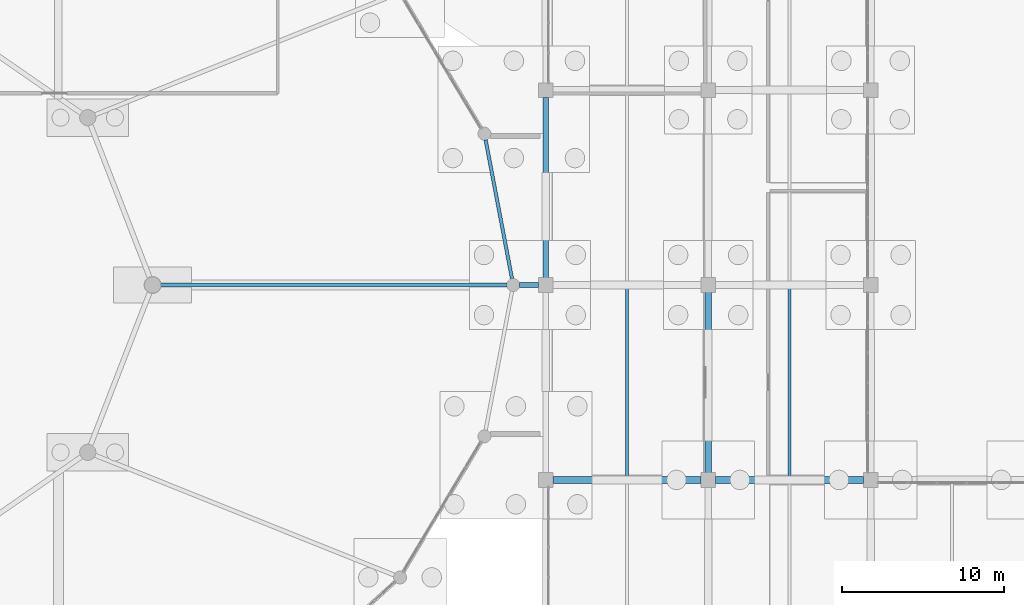
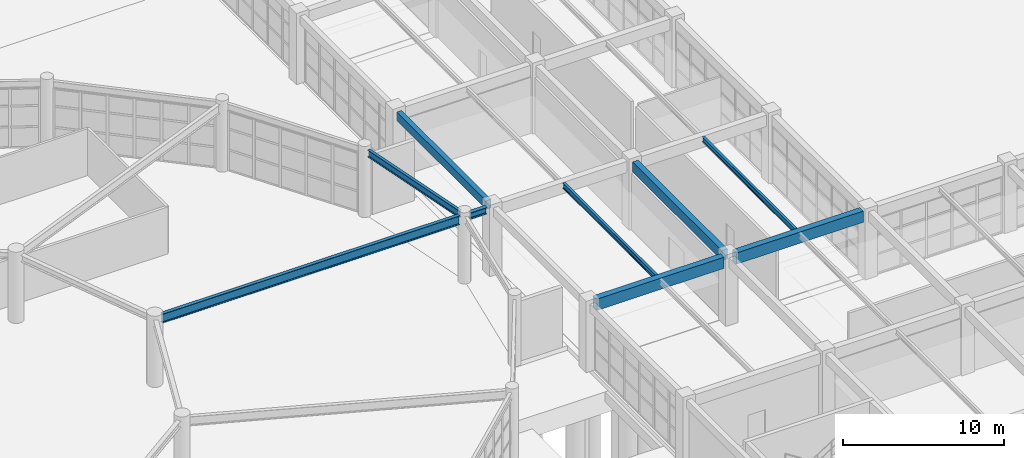
# One storey, part 44 of 99: 9 beams.
"""IFC4 building model written with IfcOpenShell, lengths in metres."""

from ifc_helpers import new_model, si_unit, direction, frame, origin, origin_2d, place, context, subcontext, project, spatial, rectangle, i_section, extrude, material, material_profile, profile_set, type_object, element, save


model = new_model("IFC4")

# Units and contexts
model_context = context("Model", 3, precision=1e-05, world=origin(), true_north=direction((0.0, 1.0)))
body_context = subcontext(model_context, "Body", "Model", "MODEL_VIEW")
ifc_project = project(units=[si_unit("LENGTHUNIT", "METRE"), si_unit("AREAUNIT", "SQUARE_METRE"), si_unit("VOLUMEUNIT", "CUBIC_METRE"), si_unit("PLANEANGLEUNIT", "RADIAN"), si_unit("MASSUNIT", "GRAM", prefix="KILO")], contexts=[model_context])

# Site, building, storey
site_placement = place(None, origin())
site = spatial("IfcSite", under=ifc_project, at=site_placement, CompositionType="ELEMENT")
building_placement = place(site_placement, origin())
building = spatial("IfcBuilding", under=site, at=building_placement, Name="Kivolera Central Railway Station", CompositionType="ELEMENT")
storey_placement = place(building_placement, origin())
storey = spatial("IfcBuildingStorey", under=building, at=storey_placement, Name="L00", CompositionType="ELEMENT", Elevation=0.0)

# Beams
ifc_material_1 = material(Name="Steel S355", Category="steel")
ifc_material_profile_1 = material_profile(ifc_material_1, i_section(OverallWidth=0.179931640625, OverallDepth=0.39990234375, WebThickness=0.008544921875, FlangeThickness=0.013427734375, FilletRadius=0.02099609375, at=origin_2d()), Name="IPE 400")
ifc_profile_set_1 = profile_set([ifc_material_profile_1], Name="Steel S355")
beam_type_1 = type_object("IfcBeamType", Name="BM-JST-IPE400", PredefinedType="JOIST", material=ifc_profile_set_1)
for number, where, z_axis, x_axis, name in (
    (1, (123.0, 78.217041015625, 4.907958984375), (0.0, 1.0, 0.0), (-1.0, 0.0, 0.0), "L00 Floor Joist 12-13/G-H"),
    (2, (133.0, 78.217041015625, 4.907958984375), (0.0, 1.0, 0.0), (-1.0, 0.0, 0.0), "L00 Floor Joist 13-14/G-H"),
):
    element("IfcBeam", number, at=place(storey_placement, frame(where, z_axis=z_axis, x_axis=x_axis)), inside=storey, type_object=beam_type_1, Name=name, PredefinedType="JOIST", context=body_context, shape_type="SweptSolid", body=[
        extrude(i_section(OverallWidth=0.179931640625, OverallDepth=0.39990234375, WebThickness=0.008544921875, FlangeThickness=0.013427734375, FilletRadius=0.02099609375, at=origin_2d()), origin(), (0.0, 0.0, 1.0), 11.56591796875),
    ])
ifc_material_2 = material(Name="Concrete C40/50", Category="concrete")
ifc_material_profile_2 = material_profile(ifc_material_2, rectangle(XDim=0.39990234375, YDim=0.75, at=origin_2d()), Name="RC 400x750")
ifc_profile_set_2 = profile_set([ifc_material_profile_2], Name="Concrete C40/50")
beam_type_2 = type_object("IfcBeamType", Name="BM-RC-400x750", PredefinedType="BEAM", material=ifc_profile_set_2)
beam_1_placement = place(storey_placement, frame((128.0, 78.44189453125, 4.7451171875), z_axis=(0.0, 1.0, 0.0), x_axis=(-1.0, 0.0, 0.0)))
element("IfcBeam", 3, at=beam_1_placement, inside=storey, type_object=beam_type_2, Name="L00 Wing Y-Beam 13:G-H", PredefinedType="BEAM", context=body_context, shape_type="SweptSolid", body=[
    extrude(rectangle(XDim=0.39990234375, YDim=0.75, at=origin_2d()), origin(), (0.0, 0.0, 1.0), 11.1162109375),
])
ifc_material_profile_3 = material_profile(ifc_material_2, rectangle(XDim=0.449951171875, YDim=0.85009765625, at=origin_2d()), Name="RC 450x850")
ifc_profile_set_3 = profile_set([ifc_material_profile_3], Name="Concrete C40/50")
beam_type_3 = type_object("IfcBeamType", Name="BM-RC-450x850", PredefinedType="BEAM", material=ifc_profile_set_3)
for number, where, z_axis, x_axis, name in (
    (4, (118.44189453125, 78.0, 4.695068359375), (1.0, 0.0, 0.0), (0.0, 1.0, 0.0), "L00 Wing X-Beam G:12-13"),
    (5, (128.44189453125, 78.0, 4.695068359375), (1.0, 0.0, 0.0), (0.0, 1.0, 0.0), "L00 Wing X-Beam G:13-14"),
):
    element("IfcBeam", number, at=place(storey_placement, frame(where, z_axis=z_axis, x_axis=x_axis)), inside=storey, type_object=beam_type_3, Name=name, PredefinedType="BEAM", context=body_context, shape_type="SweptSolid", body=[
        extrude(rectangle(XDim=0.449951171875, YDim=0.85009765625, at=origin_2d()), origin(), (0.0, 0.0, 1.0), 9.1162109375),
    ])
ifc_material_profile_4 = material_profile(ifc_material_1, i_section(OverallWidth=0.300048828125, OverallDepth=0.489990234375, WebThickness=0.011962890625, FlangeThickness=0.02294921875, FilletRadius=0.027099609375, at=origin_2d()), Name="HEA 500")
ifc_profile_set_4 = profile_set([ifc_material_profile_4], Name="Steel S355")
beam_type_4 = type_object("IfcBeamType", Name="BM-SHD-HEA500", PredefinedType="BEAM", material=ifc_profile_set_4)
beam_2_placement = place(storey_placement, frame((116.3798828125, 90.0, 4.820068359375), z_axis=(1.0, 0.0, 0.0), x_axis=(0.0, 1.0, 0.0)))
element("IfcBeam", 6, at=beam_2_placement, inside=storey, type_object=beam_type_4, Name="L00 Oval-to-Wing Structural Frame Tie Beam", PredefinedType="BEAM", context=body_context, shape_type="SweptSolid", body=[
    extrude(i_section(OverallWidth=0.300048828125, OverallDepth=0.489990234375, WebThickness=0.011962890625, FlangeThickness=0.02294921875, FilletRadius=0.027099609375, at=origin_2d()), origin(), (0.0, 0.0, 1.0), 1.18017578125),
])
ifc_material_profile_5 = material_profile(ifc_material_1, i_section(OverallWidth=0.209228515625, OverallDepth=0.533203125, WebThickness=0.010009765625, FlangeThickness=0.015625, FilletRadius=0.0126953125, at=origin_2d()), Name="UB 533x210x92")
ifc_profile_set_5 = profile_set([ifc_material_profile_5], Name="Steel S355")
beam_type_5 = type_object("IfcBeamType", Name="BM-SHD-UB533", PredefinedType="BEAM", material=ifc_profile_set_5)
beam_3_placement = place(storey_placement, frame((115.927001953125, 90.383056640625, 4.841064453125), z_axis=(-0.186802767636, 0.982397437906, 0.0), x_axis=(-0.982397437906, -0.186802767636, 0.0)))
element("IfcBeam", 7, at=beam_3_placement, inside=storey, type_object=beam_type_5, Name="L00 Oval Perimeter Ring Beam 01", PredefinedType="BEAM", context=body_context, shape_type="SweptSolid", body=[
    extrude(i_section(OverallWidth=0.209228515625, OverallDepth=0.533203125, WebThickness=0.010009765625, FlangeThickness=0.015625, FilletRadius=0.0126953125, at=origin_2d()), origin(), (0.0, 0.0, 1.0), 8.704345703125),
])
ifc_material_profile_6 = material_profile(ifc_material_1, i_section(OverallWidth=0.253662109375, OverallDepth=0.68359375, WebThickness=0.012451171875, FlangeThickness=0.01904296875, FilletRadius=0.01513671875, at=origin_2d()), Name="UB 686x254x140")
ifc_profile_set_6 = profile_set([ifc_material_profile_6], Name="Steel S355")
beam_type_6 = type_object("IfcBeamType", Name="BM-SHD-UB686", PredefinedType="BEAM", material=ifc_profile_set_6)
beam_4_placement = place(storey_placement, frame((94.2900390625, 90.0, 4.76611328125), z_axis=(1.0, 0.0, 0.0), x_axis=(0.0, 1.0, 0.0)))
element("IfcBeam", 8, at=beam_4_placement, inside=storey, type_object=beam_type_6, Name="L00 Oval Gallery Radial Girder 01", PredefinedType="BEAM", context=body_context, shape_type="SweptSolid", body=[
    extrude(i_section(OverallWidth=0.253662109375, OverallDepth=0.68359375, WebThickness=0.012451171875, FlangeThickness=0.01904296875, FilletRadius=0.01513671875, at=origin_2d()), origin(), (0.0, 0.0, 1.0), 21.320068359375),
])
ifc_material_profile_7 = material_profile(ifc_material_2, rectangle(XDim=0.35009765625, YDim=0.64990234375, at=origin_2d()), Name="RC 350x650")
ifc_profile_set_7 = profile_set([ifc_material_profile_7], Name="Concrete C40/50")
beam_type_7 = type_object("IfcBeamType", Name="BM-SPN-RC650", PredefinedType="SPANDREL", material=ifc_profile_set_7)
beam_5_placement = place(storey_placement, frame((118.0, 90.44189453125, 4.794921875), z_axis=(0.0, 1.0, 0.0), x_axis=(-1.0, 0.0, 0.0)))
element("IfcBeam", 9, at=beam_5_placement, inside=storey, type_object=beam_type_7, Name="L00 Wing Y-Beam 12:H-J", PredefinedType="SPANDREL", context=body_context, shape_type="SweptSolid", body=[
    extrude(rectangle(XDim=0.35009765625, YDim=0.64990234375, at=origin_2d()), origin(), (0.0, 0.0, 1.0), 11.1162109375),
])

save(model, "model.ifc")
